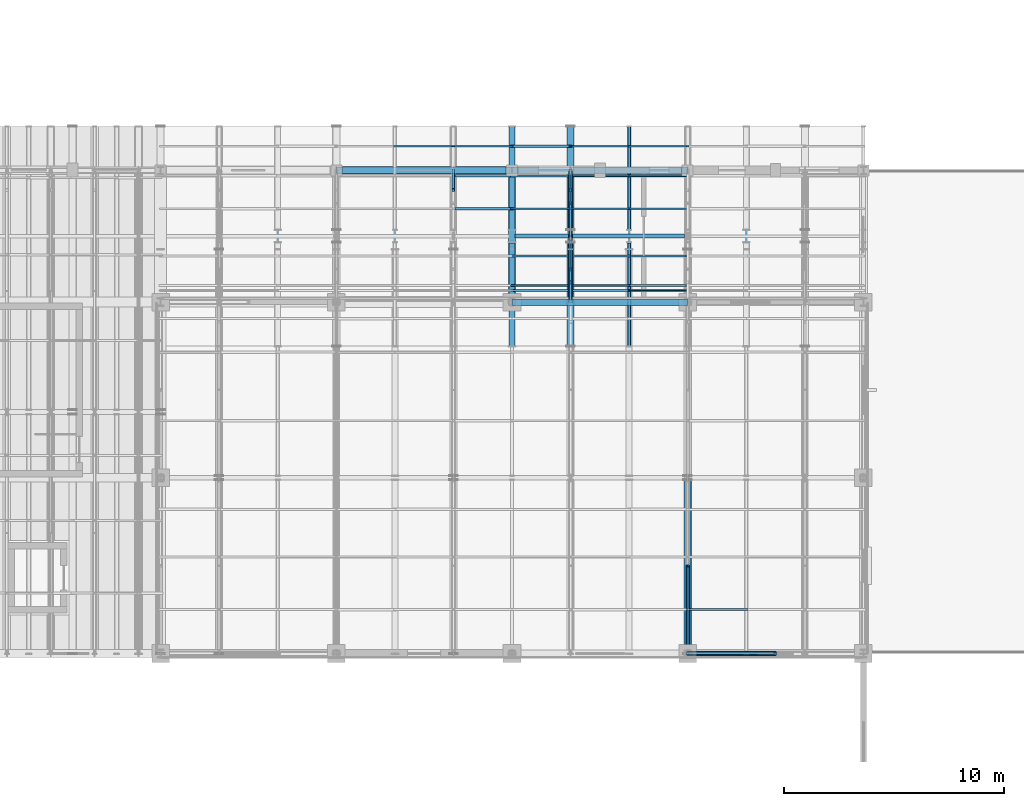
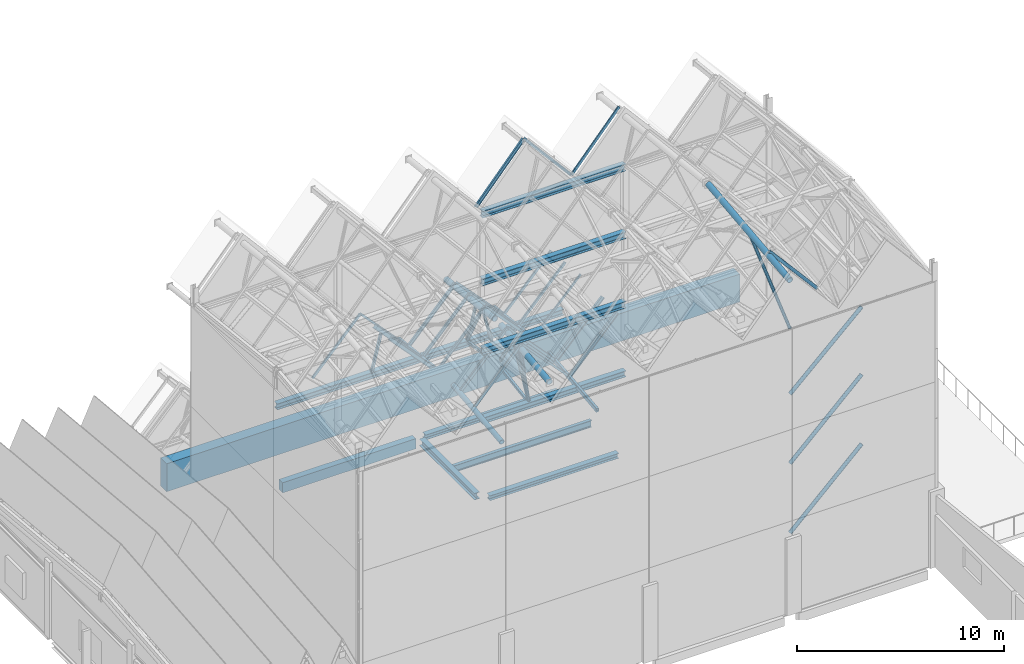
# One storey, part 14 of 48: 36 members, 19 beams.
"""IFC4 building model written with IfcOpenShell, lengths in metres."""

from ifc_helpers import new_model, si_unit, direction, frame, origin, origin_2d, place, context, subcontext, project, spatial, rectangle, hollow_rectangle, hollow_circle, i_section, extrude, material, material_profile, profile_set, type_object, element, save


model = new_model("IFC4")

# Units and contexts
model_context = context("Model", 3, precision=1e-05, world=origin(), true_north=direction((0.0, 1.0)))
body_context = subcontext(model_context, "Body", "Model", "MODEL_VIEW")
ifc_project = project(units=[si_unit("LENGTHUNIT", "METRE"), si_unit("AREAUNIT", "SQUARE_METRE"), si_unit("VOLUMEUNIT", "CUBIC_METRE"), si_unit("PLANEANGLEUNIT", "RADIAN"), si_unit("MASSUNIT", "GRAM", prefix="KILO")], contexts=[model_context])

# Site, building, storey
site_placement = place(None, origin())
site = spatial("IfcSite", under=ifc_project, at=site_placement, CompositionType="ELEMENT")
building_placement = place(site_placement, origin())
building = spatial("IfcBuilding", under=site, at=building_placement, Name="Luwemba Playhouse", CompositionType="ELEMENT")
storey_placement = place(building_placement, frame((0.0, 0.0, 13.800048828125)))
storey = spatial("IfcBuildingStorey", under=building, at=storey_placement, Name="L03", CompositionType="ELEMENT", Elevation=13.800048828125)

# Beams
ifc_material_1 = material(Name="Steel S355", Category="steel")
ifc_material_profile_1 = material_profile(ifc_material_1, hollow_rectangle(XDim=0.14990234375, YDim=0.25, WallThickness=0.010009765625, InnerFilletRadius=0.014892578125, OuterFilletRadius=0.02490234375, at=origin_2d()))
ifc_profile_set_1 = profile_set([ifc_material_profile_1], Name="Steel S355")
beam_type_1 = type_object("IfcBeamType", Name="BM-RTG1", PredefinedType="USERDEFINED", material=ifc_profile_set_1)
for number, where, z_axis, x_axis, name in (
    (1, (33.333251953125, 82.0, 4.2255859375), (0.0, 0.993764176703, 0.111502291916), (-1.0, 0.0, 0.0), "ROOF TRUSS valley girder 0138"),
    (2, (33.333251953125, 87.300048828125, 4.7529296875), (0.0, 0.993764176703, -0.111502291916), (-1.0, 0.0, 0.0), "ROOF TRUSS valley girder 0139"),
):
    element("IfcBeam", number, at=place(storey_placement, frame(where, z_axis=z_axis, x_axis=x_axis)), inside=storey, type_object=beam_type_1, Name=name, ObjectType="ROOF TRUSS", PredefinedType="USERDEFINED", context=body_context, shape_type="SweptSolid", body=[
        extrude(hollow_rectangle(XDim=0.14990234375, YDim=0.25, WallThickness=0.010009765625, InnerFilletRadius=0.014892578125, OuterFilletRadius=0.02490234375, at=origin_2d()), origin(), (0.0, 0.0, 1.0), 4.7294921875),
    ])
ifc_material_profile_2 = material_profile(ifc_material_1, hollow_circle(Radius=0.136474609375, WallThickness=0.012451171875, at=origin_2d()))
ifc_profile_set_2 = profile_set([ifc_material_profile_2], Name="Steel S355")
beam_type_2 = type_object("IfcBeamType", Name="BM-RTG3", PredefinedType="USERDEFINED", material=ifc_profile_set_2)
for number, where, z_axis, x_axis, name in (
    (3, (28.0, 82.0, 4.21435546875), (0.0, 0.993769895443, 0.111451311842), (-1.0, 0.0, 0.0), "ROOF TRUSS valley girder 0134"),
    (4, (28.0, 87.300048828125, 4.741455078125), (0.0, 0.993769895443, -0.111451311842), (-1.0, 0.0, 0.0), "ROOF TRUSS valley girder 0135"),
):
    element("IfcBeam", number, at=place(storey_placement, frame(where, z_axis=z_axis, x_axis=x_axis)), inside=storey, type_object=beam_type_2, Name=name, ObjectType="ROOF TRUSS", PredefinedType="USERDEFINED", context=body_context, shape_type="SweptSolid", body=[
        extrude(hollow_circle(Radius=0.136474609375, WallThickness=0.012451171875, at=origin_2d()), origin(), (0.0, 0.0, 1.0), 4.7294921875),
    ])
ifc_material_profile_3 = material_profile(ifc_material_1, hollow_circle(Radius=0.161865234375, WallThickness=0.01611328125, at=origin_2d()))
ifc_profile_set_3 = profile_set([ifc_material_profile_3], Name="Steel S355")
beam_type_3 = type_object("IfcBeamType", Name="BM-RTG4", PredefinedType="USERDEFINED", material=ifc_profile_set_3)
beam_1_placement = place(storey_placement, frame((36.0, 68.0, 19.458740234375), z_axis=(0.0, 0.993767688729, 0.111470986529), x_axis=(-1.0, 0.0, 0.0)))
element("IfcBeam", 5, at=beam_1_placement, inside=storey, type_object=beam_type_3, Name="ROOF TRUSS ridge girder 0073", ObjectType="ROOF TRUSS", PredefinedType="USERDEFINED", context=body_context, shape_type="SweptSolid", body=[
    extrude(hollow_circle(Radius=0.161865234375, WallThickness=0.01611328125, at=origin_2d()), origin(), (0.0, 0.0, 1.0), 7.939453125),
])
for number, where, z_axis, x_axis, name in (
    (6, (30.666748046875, 82.0, 6.825439453125), (0.0, 0.993769895443, 0.111451311842), (-1.0, 0.0, 0.0), "ROOF TRUSS ridge girder 0136"),
    (7, (30.666748046875, 87.300048828125, 7.3525390625), (0.0, 0.993769895443, -0.111451311842), (-1.0, 0.0, 0.0), "ROOF TRUSS ridge girder 0137"),
):
    element("IfcBeam", number, at=place(storey_placement, frame(where, z_axis=z_axis, x_axis=x_axis)), inside=storey, type_object=beam_type_3, Name=name, ObjectType="ROOF TRUSS", PredefinedType="USERDEFINED", context=body_context, shape_type="SweptSolid", body=[
        extrude(hollow_circle(Radius=0.161865234375, WallThickness=0.01611328125, at=origin_2d()), origin(), (0.0, 0.0, 1.0), 4.7294921875),
    ])
ifc_material_profile_4 = material_profile(ifc_material_1, i_section(OverallWidth=0.300048828125, OverallDepth=0.2900390625, WebThickness=0.008544921875, FlangeThickness=0.013916015625, FilletRadius=0.027099609375, at=origin_2d()))
ifc_profile_set_4 = profile_set([ifc_material_profile_4], Name="Steel S355")
beam_type_4 = type_object("IfcBeamType", Name="BM-SB03", PredefinedType="BEAM", material=ifc_profile_set_4)
beam_2_placement = place(storey_placement, frame((28.39990234375, 84.0, -0.375), z_axis=(1.0, 0.0, 0.0), x_axis=(0.0, 1.0, 0.0)))
element("IfcBeam", 8, at=beam_2_placement, inside=storey, type_object=beam_type_4, Name="L03 grid girder 0838", PredefinedType="BEAM", context=body_context, shape_type="SweptSolid", body=[
    extrude(i_section(OverallWidth=0.300048828125, OverallDepth=0.2900390625, WebThickness=0.008544921875, FlangeThickness=0.013916015625, FilletRadius=0.027099609375, at=origin_2d()), origin(), (0.0, 0.0, 1.0), 7.2001953125),
])
ifc_material_profile_5 = material_profile(ifc_material_1, i_section(OverallWidth=0.300048828125, OverallDepth=0.389892578125, WebThickness=0.010986328125, FlangeThickness=0.01904296875, FilletRadius=0.027099609375, at=origin_2d()))
ifc_profile_set_5 = profile_set([ifc_material_profile_5], Name="Steel S355")
beam_type_5 = type_object("IfcBeamType", Name="BM-SB05", PredefinedType="BEAM", material=ifc_profile_set_5)
beam_3_placement = place(storey_placement, frame((28.0, 84.39990234375, -0.425048828125), z_axis=(0.0, 1.0, 0.0), x_axis=(-1.0, 0.0, 0.0)))
element("IfcBeam", 9, at=beam_3_placement, inside=storey, type_object=beam_type_5, Name="L03 transverse girder 0852", PredefinedType="BEAM", context=body_context, shape_type="SweptSolid", body=[
    extrude(i_section(OverallWidth=0.300048828125, OverallDepth=0.389892578125, WebThickness=0.010986328125, FlangeThickness=0.01904296875, FilletRadius=0.027099609375, at=origin_2d()), origin(), (0.0, 0.0, 1.0), 5.3251953125),
])
ifc_material_profile_6 = material_profile(ifc_material_1, i_section(OverallWidth=0.300048828125, OverallDepth=0.360107421875, WebThickness=0.012451171875, FlangeThickness=0.0224609375, FilletRadius=0.027099609375, at=origin_2d()))
ifc_profile_set_6 = profile_set([ifc_material_profile_6], Name="Steel S355")
beam_type_6 = type_object("IfcBeamType", Name="BM-SB09", PredefinedType="BEAM", material=ifc_profile_set_6)
for number, where, z_axis, x_axis, name in (
    (10, (28.0, 84.0, 4.320068359375), (1.0, 0.0, 0.0), (0.0, 1.0, 0.0), "RF-V2-NORTH eave ring beam 0112"),
    (11, (20.0, 90.0, 4.320068359375), (1.0, 0.0, 0.0), (0.0, 1.0, 0.0), "RF-V2-NORTH eave ring beam 0115"),
    (12, (28.0, 90.0, 4.320068359375), (1.0, 0.0, 0.0), (0.0, 1.0, 0.0), "RF-V2-NORTH eave ring beam 0116"),
):
    element("IfcBeam", number, at=place(storey_placement, frame(where, z_axis=z_axis, x_axis=x_axis)), inside=storey, type_object=beam_type_6, Name=name, PredefinedType="BEAM", context=body_context, shape_type="SweptSolid", body=[
        extrude(i_section(OverallWidth=0.300048828125, OverallDepth=0.360107421875, WebThickness=0.012451171875, FlangeThickness=0.0224609375, FilletRadius=0.027099609375, at=origin_2d()), origin(), (0.0, 0.0, 1.0), 8.0),
    ])
ifc_material_profile_7 = material_profile(ifc_material_1, i_section(OverallWidth=0.300048828125, OverallDepth=0.39990234375, WebThickness=0.013427734375, FlangeThickness=0.02392578125, FilletRadius=0.027099609375, at=origin_2d()))
ifc_profile_set_7 = profile_set([ifc_material_profile_7], Name="Steel S355")
beam_type_7 = type_object("IfcBeamType", Name="BM-SB10", PredefinedType="BEAM", material=ifc_profile_set_7)
for number, where, z_axis, x_axis, name in (
    (13, (28.0, 84.0, 8.39990234375), (1.0, 0.0, 0.0), (0.0, 1.0, 0.0), "Fly tower ring beam 007"),
    (14, (28.0, 84.0, 12.5), (1.0, 0.0, 0.0), (0.0, 1.0, 0.0), "Fly tower ring beam 019"),
    (15, (28.0, 84.0, 16.5), (1.0, 0.0, 0.0), (0.0, 1.0, 0.0), "Fly tower ring beam 031"),
):
    element("IfcBeam", number, at=place(storey_placement, frame(where, z_axis=z_axis, x_axis=x_axis)), inside=storey, type_object=beam_type_7, Name=name, PredefinedType="BEAM", context=body_context, shape_type="SweptSolid", body=[
        extrude(i_section(OverallWidth=0.300048828125, OverallDepth=0.39990234375, WebThickness=0.013427734375, FlangeThickness=0.02392578125, FilletRadius=0.027099609375, at=origin_2d()), origin(), (0.0, 0.0, 1.0), 8.0),
    ])
ifc_material_2 = material(Name="Concrete C40/50", Category="concrete")
ifc_material_profile_8 = material_profile(ifc_material_2, rectangle(XDim=0.60009765625, YDim=1.64990234375, at=origin_2d()))
ifc_profile_set_8 = profile_set([ifc_material_profile_8], Name="Concrete C40/50")
beam_type_8 = type_object("IfcBeamType", Name="BM-SB11", PredefinedType="BEAM", material=ifc_profile_set_8)
beam_4_placement = place(storey_placement, frame((12.0, 87.0, 4.8564453125), z_axis=(1.0, 0.0, 0.0), x_axis=(0.0, 1.0, 0.0)))
element("IfcBeam", 16, at=beam_4_placement, inside=storey, type_object=beam_type_8, Name="RF-V2-NORTH central ridge spine girder 0121", PredefinedType="BEAM", context=body_context, shape_type="SweptSolid", body=[
    extrude(rectangle(XDim=0.60009765625, YDim=1.64990234375, at=origin_2d()), origin(), (0.0, 0.0, 1.0), 32.0),
])
ifc_material_profile_9 = material_profile(ifc_material_1, i_section(OverallWidth=0.179931640625, OverallDepth=0.39990234375, WebThickness=0.008544921875, FlangeThickness=0.013427734375, FilletRadius=0.02099609375, at=origin_2d()))
ifc_profile_set_9 = profile_set([ifc_material_profile_9], Name="Steel S355")
beam_type_9 = type_object("IfcBeamType", Name="BM-SJ08", PredefinedType="JOIST", material=ifc_profile_set_9)
beam_5_placement = place(storey_placement, frame((28.14599609375, 87.0, -0.429931640625), z_axis=(1.0, 0.0, 0.0), x_axis=(0.0, 1.0, 0.0)))
element("IfcBeam", 17, at=beam_5_placement, inside=storey, type_object=beam_type_9, Name="L03 composite floor joist 0487", PredefinedType="JOIST", context=body_context, shape_type="SweptSolid", body=[
    extrude(i_section(OverallWidth=0.179931640625, OverallDepth=0.39990234375, WebThickness=0.008544921875, FlangeThickness=0.013427734375, FilletRadius=0.02099609375, at=origin_2d()), origin(), (0.0, 0.0, 1.0), 7.7080078125),
])
ifc_material_profile_10 = material_profile(ifc_material_2, rectangle(XDim=0.35009765625, YDim=0.60009765625, at=origin_2d()))
ifc_profile_set_10 = profile_set([ifc_material_profile_10], Name="Concrete C40/50")
beam_type_10 = type_object("IfcBeamType", Name="BM-SP3", PredefinedType="SPANDREL", material=ifc_profile_set_10)
beam_6_placement = place(storey_placement, frame((20.27490234375, 90.0, -0.530029296875), z_axis=(1.0, 0.0, 0.0), x_axis=(0.0, 1.0, 0.0)))
element("IfcBeam", 18, at=beam_6_placement, inside=storey, type_object=beam_type_10, Name="L03 grid girder 0842", PredefinedType="SPANDREL", context=body_context, shape_type="SweptSolid", body=[
    extrude(rectangle(XDim=0.35009765625, YDim=0.60009765625, at=origin_2d()), origin(), (0.0, 0.0, 1.0), 7.4501953125),
])
ifc_material_profile_11 = material_profile(ifc_material_1, i_section(OverallWidth=0.300048828125, OverallDepth=0.300048828125, WebThickness=0.010986328125, FlangeThickness=0.01904296875, FilletRadius=0.027099609375, at=origin_2d()))
ifc_profile_set_11 = profile_set([ifc_material_profile_11], Name="Steel S355")
beam_type_11 = type_object("IfcBeamType", Name="BM-SSP1", PredefinedType="SPANDREL", material=ifc_profile_set_11)
beam_7_placement = place(storey_placement, frame((28.27490234375, 90.0, -0.380126953125), z_axis=(1.0, 0.0, 0.0), x_axis=(0.0, 1.0, 0.0)))
element("IfcBeam", 19, at=beam_7_placement, inside=storey, type_object=beam_type_11, Name="L03 grid girder 0843", PredefinedType="SPANDREL", context=body_context, shape_type="SweptSolid", body=[
    extrude(i_section(OverallWidth=0.300048828125, OverallDepth=0.300048828125, WebThickness=0.010986328125, FlangeThickness=0.01904296875, FilletRadius=0.027099609375, at=origin_2d()), origin(), (0.0, 0.0, 1.0), 7.4501953125),
])

# Members
ifc_material_profile_12 = material_profile(ifc_material_1, hollow_circle(Radius=0.084228515625, WallThickness=0.008056640625, at=origin_2d()))
ifc_profile_set_12 = profile_set([ifc_material_profile_12], Name="Steel S355")
member_type_1 = type_object("IfcMemberType", Name="MEM-MB02", PredefinedType="BRACE", material=ifc_profile_set_12)
member_1_placement = place(storey_placement, frame((36.0, 68.0, 16.599853515625), z_axis=(0.0, 0.770652379967, 0.637255764392), x_axis=(-1.0, 0.0, 0.0)))
element("IfcMember", 20, at=member_1_placement, inside=storey, type_object=member_type_1, Name="ROOF TRUSS web diagonal 0069", PredefinedType="BRACE", context=body_context, shape_type="SweptSolid", body=[
    extrude(hollow_circle(Radius=0.084228515625, WallThickness=0.008056640625, at=origin_2d()), origin(), (0.0, 0.0, 1.0), 5.1904296875),
])
member_2_placement = place(storey_placement, frame((30.666748046875, 84.0, 4.39990234375), z_axis=(0.0, 0.469857731864, 0.88274215477), x_axis=(-1.0, 0.0, 0.0)))
element("IfcMember", 21, at=member_2_placement, inside=storey, type_object=member_type_1, Name="ROOF TRUSS web diagonal 0123", PredefinedType="BRACE", context=body_context, shape_type="SweptSolid", body=[
    extrude(hollow_circle(Radius=0.084228515625, WallThickness=0.008056640625, at=origin_2d()), origin(), (0.0, 0.0, 1.0), 3.1923828125),
])
for number, where, z_axis, x_axis, name in (
    (22, (30.666748046875, 87.0, 4.8564453125), (0.0, -0.536158182569, 0.844117529296), (1.0, 0.0, 0.0), "ROOF TRUSS web diagonal 0124"),
    (23, (30.666748046875, 87.0, 4.8564453125), (0.0, 0.536158182569, 0.844117529296), (-1.0, 0.0, 0.0), "ROOF TRUSS web diagonal 0125"),
):
    element("IfcMember", number, at=place(storey_placement, frame(where, z_axis=z_axis, x_axis=x_axis)), inside=storey, type_object=member_type_1, Name=name, PredefinedType="BRACE", context=body_context, shape_type="SweptSolid", body=[
        extrude(hollow_circle(Radius=0.084228515625, WallThickness=0.008056640625, at=origin_2d()), origin(), (0.0, 0.0, 1.0), 2.797607421875),
    ])
member_3_placement = place(storey_placement, frame((30.666748046875, 90.0, 4.39990234375), z_axis=(0.0, -0.469857731864, 0.88274215477), x_axis=(1.0, 0.0, 0.0)))
element("IfcMember", 24, at=member_3_placement, inside=storey, type_object=member_type_1, Name="ROOF TRUSS web diagonal 0126", PredefinedType="BRACE", context=body_context, shape_type="SweptSolid", body=[
    extrude(hollow_circle(Radius=0.084228515625, WallThickness=0.008056640625, at=origin_2d()), origin(), (0.0, 0.0, 1.0), 3.1923828125),
])
for number, where, z_axis, x_axis, name in (
    (25, (30.666748046875, 84.0, 4.39990234375), (0.0, 0.310933771761, 0.950431580693), (-1.0, 0.0, 0.0), "ROOF TRUSS eave knee strut 0024"),
    (26, (30.666748046875, 90.0, 4.39990234375), (0.0, -0.310933771761, 0.950431580693), (1.0, 0.0, 0.0), "ROOF TRUSS eave knee strut 0025"),
):
    element("IfcMember", number, at=place(storey_placement, frame(where, z_axis=z_axis, x_axis=x_axis)), inside=storey, type_object=member_type_1, Name=name, PredefinedType="BRACE", context=body_context, shape_type="SweptSolid", body=[
        extrude(hollow_circle(Radius=0.084228515625, WallThickness=0.008056640625, at=origin_2d()), origin(), (0.0, 0.0, 1.0), 2.894287109375),
    ])
ifc_material_profile_13 = material_profile(ifc_material_1, hollow_circle(Radius=0.109619140625, WallThickness=0.012451171875, at=origin_2d()))
ifc_profile_set_13 = profile_set([ifc_material_profile_13], Name="Steel S355")
member_type_2 = type_object("IfcMemberType", Name="MEM-MB04", PredefinedType="BRACE", material=ifc_profile_set_13)
for number, where, z_axis, x_axis, name in (
    (27, (36.0, 68.0, 4.550048828125), (0.720500036349, 0.0, 0.693454899486), (0.0, 1.0, 0.0), "Fly tower lateral brace 003"),
    (28, (36.0, 68.0, 8.64990234375), (0.720478064824, 0.0, 0.693477727189), (0.0, 1.0, 0.0), "Fly tower lateral brace 019"),
):
    element("IfcMember", number, at=place(storey_placement, frame(where, z_axis=z_axis, x_axis=x_axis)), inside=storey, type_object=member_type_2, Name=name, PredefinedType="BRACE", context=body_context, shape_type="SweptSolid", body=[
        extrude(hollow_circle(Radius=0.109619140625, WallThickness=0.012451171875, at=origin_2d()), origin(), (0.0, 0.0, 1.0), 5.5517578125),
    ])
member_4_placement = place(storey_placement, frame((36.0, 68.0, 12.75), z_axis=(0.72953720414, 0.0, 0.683941128881), x_axis=(0.0, 1.0, 0.0)))
element("IfcMember", 29, at=member_4_placement, inside=storey, type_object=member_type_2, Name="Fly tower lateral brace 035", PredefinedType="BRACE", context=body_context, shape_type="SweptSolid", body=[
    extrude(hollow_circle(Radius=0.109619140625, WallThickness=0.012451171875, at=origin_2d()), origin(), (0.0, 0.0, 1.0), 5.48291015625),
])
ifc_material_profile_14 = material_profile(ifc_material_1, hollow_rectangle(XDim=0.139892578125, YDim=0.139892578125, WallThickness=0.008056640625, InnerFilletRadius=0.011962890625, OuterFilletRadius=0.02001953125, at=origin_2d()))
ifc_profile_set_14 = profile_set([ifc_material_profile_14], Name="Steel S355")
member_type_3 = type_object("IfcMemberType", Name="MEM-MB07", PredefinedType="BRACE", material=ifc_profile_set_14)
member_5_placement = place(storey_placement, frame((25.333251953125, 90.0, 4.39990234375), z_axis=(0.0, -0.303098438521, 0.952959252312), x_axis=(1.0, 0.0, 0.0)))
element("IfcMember", 30, at=member_5_placement, inside=storey, type_object=member_type_3, Name="ROOF TRUSS eave knee strut 0023", PredefinedType="BRACE", context=body_context, shape_type="SweptSolid", body=[
    extrude(hollow_rectangle(XDim=0.139892578125, YDim=0.139892578125, WallThickness=0.008056640625, InnerFilletRadius=0.011962890625, OuterFilletRadius=0.02001953125, at=origin_2d()), origin(), (0.0, 0.0, 1.0), 2.968994140625),
])
ifc_material_profile_15 = material_profile(ifc_material_1, hollow_rectangle(XDim=0.14990234375, YDim=0.14990234375, WallThickness=0.010009765625, InnerFilletRadius=0.014892578125, OuterFilletRadius=0.02490234375, at=origin_2d()))
ifc_profile_set_15 = profile_set([ifc_material_profile_15], Name="Steel S355")
member_type_4 = type_object("IfcMemberType", Name="MEM-MC02", PredefinedType="CHORD", material=ifc_profile_set_15)
for number, where, z_axis, x_axis, name in (
    (31, (30.666748046875, 84.0, 4.39990234375), (0.0, 0.988617796803, 0.150448834637), (-1.0, 0.0, 0.0), "ROOF TRUSS south bottom chord 0121"),
    (32, (30.666748046875, 87.0, 4.8564453125), (0.0, 0.988617796803, -0.150448834637), (-1.0, 0.0, 0.0), "ROOF TRUSS north bottom chord 0122"),
):
    element("IfcMember", number, at=place(storey_placement, frame(where, z_axis=z_axis, x_axis=x_axis)), inside=storey, type_object=member_type_4, Name=name, PredefinedType="CHORD", context=body_context, shape_type="SweptSolid", body=[
        extrude(hollow_rectangle(XDim=0.14990234375, YDim=0.14990234375, WallThickness=0.010009765625, InnerFilletRadius=0.014892578125, OuterFilletRadius=0.02490234375, at=origin_2d()), origin(), (0.0, 0.0, 1.0), 3.034423828125),
    ])
ifc_material_profile_16 = material_profile(ifc_material_1, hollow_rectangle(XDim=0.080078125, YDim=0.1201171875, WallThickness=0.00634765625, InnerFilletRadius=0.009521484375, OuterFilletRadius=0.015869140625, at=origin_2d()))
ifc_profile_set_16 = profile_set([ifc_material_profile_16], Name="Steel S355")
member_type_5 = type_object("IfcMemberType", Name="MEM-MP01", PredefinedType="PURLIN", material=ifc_profile_set_16)
member_6_placement = place(storey_placement, frame((25.333251953125, 91.10009765625, 7.21728515625), z_axis=(0.681515329976, 0.0, -0.731803836426), x_axis=(0.0, 1.0, 0.0)))
element("IfcMember", 33, at=member_6_placement, inside=storey, type_object=member_type_5, Name="Pleated roof purlin 0240", PredefinedType="PURLIN", context=body_context, shape_type="SweptSolid", body=[
    extrude(hollow_rectangle(XDim=0.080078125, YDim=0.1201171875, WallThickness=0.00634765625, InnerFilletRadius=0.009521484375, OuterFilletRadius=0.015869140625, at=origin_2d()), origin(), (0.0, 0.0, 1.0), 3.9130859375),
])
member_7_placement = place(storey_placement, frame((30.666748046875, 84.75, 7.424560546875), z_axis=(0.681513033636, 0.0, -0.731805974958), x_axis=(0.0, 1.0, 0.0)))
element("IfcMember", 34, at=member_7_placement, inside=storey, type_object=member_type_5, Name="Pleated roof purlin 0248", PredefinedType="PURLIN", context=body_context, shape_type="SweptSolid", body=[
    extrude(hollow_rectangle(XDim=0.080078125, YDim=0.1201171875, WallThickness=0.00634765625, InnerFilletRadius=0.009521484375, OuterFilletRadius=0.015869140625, at=origin_2d()), origin(), (0.0, 0.0, 1.0), 3.91259765625),
])
member_8_placement = place(storey_placement, frame((33.333251953125, 88.25, 4.67333984375), z_axis=(0.681515329976, 0.0, 0.731803836426), x_axis=(0.0, 1.0, 0.0)))
element("IfcMember", 35, at=member_8_placement, inside=storey, type_object=member_type_5, Name="Pleated roof purlin 0256", PredefinedType="PURLIN", context=body_context, shape_type="SweptSolid", body=[
    extrude(hollow_rectangle(XDim=0.080078125, YDim=0.1201171875, WallThickness=0.00634765625, InnerFilletRadius=0.009521484375, OuterFilletRadius=0.015869140625, at=origin_2d()), origin(), (0.0, 0.0, 1.0), 3.9130859375),
])
ifc_material_profile_17 = material_profile(ifc_material_1, hollow_rectangle(XDim=0.10009765625, YDim=0.14990234375, WallThickness=0.008056640625, InnerFilletRadius=0.011962890625, OuterFilletRadius=0.02001953125, at=origin_2d()))
ifc_profile_set_17 = profile_set([ifc_material_profile_17], Name="Steel S355")
member_type_6 = type_object("IfcMemberType", Name="MEM-MP02", PredefinedType="PURLIN", material=ifc_profile_set_17)
member_9_placement = place(storey_placement, frame((30.666748046875, 86.10009765625, 7.55029296875), z_axis=(0.681513033636, 0.0, -0.731805974958), x_axis=(0.0, 1.0, 0.0)))
element("IfcMember", 36, at=member_9_placement, inside=storey, type_object=member_type_6, Name="Pleated roof purlin 0249", PredefinedType="PURLIN", context=body_context, shape_type="SweptSolid", body=[
    extrude(hollow_rectangle(XDim=0.10009765625, YDim=0.14990234375, WallThickness=0.008056640625, InnerFilletRadius=0.011962890625, OuterFilletRadius=0.02001953125, at=origin_2d()), origin(), (0.0, 0.0, 1.0), 3.91259765625),
])
member_10_placement = place(storey_placement, frame((33.333251953125, 89.75, 4.479248046875), z_axis=(0.68148421333, 0.0, 0.731832813546), x_axis=(0.0, 1.0, 0.0)))
element("IfcMember", 37, at=member_10_placement, inside=storey, type_object=member_type_6, Name="Pleated roof purlin 0257", PredefinedType="PURLIN", context=body_context, shape_type="SweptSolid", body=[
    extrude(hollow_rectangle(XDim=0.10009765625, YDim=0.14990234375, WallThickness=0.008056640625, InnerFilletRadius=0.011962890625, OuterFilletRadius=0.02001953125, at=origin_2d()), origin(), (0.0, 0.0, 1.0), 3.9130859375),
])
ifc_material_profile_18 = material_profile(ifc_material_1, hollow_rectangle(XDim=0.080078125, YDim=0.159912109375, WallThickness=0.00634765625, InnerFilletRadius=0.009521484375, OuterFilletRadius=0.015869140625, at=origin_2d()))
ifc_profile_set_18 = profile_set([ifc_material_profile_18], Name="Steel S355")
member_type_7 = type_object("IfcMemberType", Name="MEM-MP03", PredefinedType="PURLIN", material=ifc_profile_set_18)
member_11_placement = place(storey_placement, frame((33.333251953125, 84.528076171875, 16.582275390625), z_axis=(0.651808038275, 0.0, 0.758383993265), x_axis=(0.0, 1.0, 0.0)))
element("IfcMember", 38, at=member_11_placement, inside=storey, type_object=member_type_7, Name="Pleated roof purlin 0138", PredefinedType="PURLIN", context=body_context, shape_type="SweptSolid", body=[
    extrude(hollow_rectangle(XDim=0.080078125, YDim=0.159912109375, WallThickness=0.00634765625, InnerFilletRadius=0.009521484375, OuterFilletRadius=0.015869140625, at=origin_2d()), origin(), (0.0, 0.0, 1.0), 4.09130859375),
])
member_12_placement = place(storey_placement, frame((22.666748046875, 91.10009765625, 4.333740234375), z_axis=(0.68148191426, 0.0, 0.731834954437), x_axis=(0.0, 1.0, 0.0)))
element("IfcMember", 39, at=member_12_placement, inside=storey, type_object=member_type_7, Name="Pleated roof purlin 0234", PredefinedType="PURLIN", context=body_context, shape_type="SweptSolid", body=[
    extrude(hollow_rectangle(XDim=0.080078125, YDim=0.159912109375, WallThickness=0.00634765625, InnerFilletRadius=0.009521484375, OuterFilletRadius=0.015869140625, at=origin_2d()), origin(), (0.0, 0.0, 1.0), 3.912841796875),
])
member_13_placement = place(storey_placement, frame((28.0, 84.75, 4.541259765625), z_axis=(0.681515329976, 0.0, 0.731803836426), x_axis=(0.0, 1.0, 0.0)))
element("IfcMember", 40, at=member_13_placement, inside=storey, type_object=member_type_7, Name="Pleated roof purlin 0242", PredefinedType="PURLIN", context=body_context, shape_type="SweptSolid", body=[
    extrude(hollow_rectangle(XDim=0.080078125, YDim=0.159912109375, WallThickness=0.00634765625, InnerFilletRadius=0.009521484375, OuterFilletRadius=0.015869140625, at=origin_2d()), origin(), (0.0, 0.0, 1.0), 3.9130859375),
])
member_14_placement = place(storey_placement, frame((30.666748046875, 88.25, 7.516845703125), z_axis=(0.681513033636, 0.0, -0.731805974958), x_axis=(0.0, 1.0, 0.0)))
element("IfcMember", 41, at=member_14_placement, inside=storey, type_object=member_type_7, Name="Pleated roof purlin 0250", PredefinedType="PURLIN", context=body_context, shape_type="SweptSolid", body=[
    extrude(hollow_rectangle(XDim=0.080078125, YDim=0.159912109375, WallThickness=0.00634765625, InnerFilletRadius=0.009521484375, OuterFilletRadius=0.015869140625, at=origin_2d()), origin(), (0.0, 0.0, 1.0), 3.91259765625),
])
member_15_placement = place(storey_placement, frame((33.333251953125, 91.10009765625, 4.333740234375), z_axis=(0.681515329976, 0.0, 0.731803836426), x_axis=(0.0, 1.0, 0.0)))
element("IfcMember", 42, at=member_15_placement, inside=storey, type_object=member_type_7, Name="Pleated roof purlin 0258", PredefinedType="PURLIN", context=body_context, shape_type="SweptSolid", body=[
    extrude(hollow_rectangle(XDim=0.080078125, YDim=0.159912109375, WallThickness=0.00634765625, InnerFilletRadius=0.009521484375, OuterFilletRadius=0.015869140625, at=origin_2d()), origin(), (0.0, 0.0, 1.0), 3.9130859375),
])
ifc_material_profile_19 = material_profile(ifc_material_1, hollow_rectangle(XDim=0.10009765625, YDim=0.179931640625, WallThickness=0.008056640625, InnerFilletRadius=0.011962890625, OuterFilletRadius=0.02001953125, at=origin_2d()))
ifc_profile_set_19 = profile_set([ifc_material_profile_19], Name="Steel S355")
member_type_8 = type_object("IfcMemberType", Name="MEM-MP04", PredefinedType="PURLIN", material=ifc_profile_set_19)
member_16_placement = place(storey_placement, frame((36.0, 70.0, 19.947021484375), z_axis=(0.651808038275, 0.0, -0.758383993265), x_axis=(0.0, 1.0, 0.0)))
element("IfcMember", 43, at=member_16_placement, inside=storey, type_object=member_type_8, Name="Pleated roof purlin 0139", PredefinedType="PURLIN", context=body_context, shape_type="SweptSolid", body=[
    extrude(hollow_rectangle(XDim=0.10009765625, YDim=0.179931640625, WallThickness=0.008056640625, InnerFilletRadius=0.011962890625, OuterFilletRadius=0.02001953125, at=origin_2d()), origin(), (0.0, 0.0, 1.0), 4.09130859375),
])
member_17_placement = place(storey_placement, frame((28.0, 86.10009765625, 4.671875), z_axis=(0.681515329976, 0.0, 0.731803836426), x_axis=(0.0, 1.0, 0.0)))
element("IfcMember", 44, at=member_17_placement, inside=storey, type_object=member_type_8, Name="Pleated roof purlin 0243", PredefinedType="PURLIN", context=body_context, shape_type="SweptSolid", body=[
    extrude(hollow_rectangle(XDim=0.10009765625, YDim=0.179931640625, WallThickness=0.008056640625, InnerFilletRadius=0.011962890625, OuterFilletRadius=0.02001953125, at=origin_2d()), origin(), (0.0, 0.0, 1.0), 3.9130859375),
])
member_18_placement = place(storey_placement, frame((30.666748046875, 89.75, 7.327880859375), z_axis=(0.68148191426, 0.0, -0.731834954437), x_axis=(0.0, 1.0, 0.0)))
element("IfcMember", 45, at=member_18_placement, inside=storey, type_object=member_type_8, Name="Pleated roof purlin 0251", PredefinedType="PURLIN", context=body_context, shape_type="SweptSolid", body=[
    extrude(hollow_rectangle(XDim=0.10009765625, YDim=0.179931640625, WallThickness=0.008056640625, InnerFilletRadius=0.011962890625, OuterFilletRadius=0.02001953125, at=origin_2d()), origin(), (0.0, 0.0, 1.0), 3.912841796875),
])
ifc_material_profile_20 = material_profile(ifc_material_1, i_section(OverallWidth=0.08203125, OverallDepth=0.159912109375, WebThickness=0.0048828125, FlangeThickness=0.00732421875, FilletRadius=0.009033203125, at=origin_2d()))
ifc_profile_set_20 = profile_set([ifc_material_profile_20], Name="Steel S355")
member_type_9 = type_object("IfcMemberType", Name="MEM-MP05", PredefinedType="PURLIN", material=ifc_profile_set_20)
member_19_placement = place(storey_placement, frame((30.666748046875, 84.528076171875, 19.683837890625), z_axis=(0.651773715576, 0.0, -0.758413491233), x_axis=(0.0, 1.0, 0.0)))
element("IfcMember", 46, at=member_19_placement, inside=storey, type_object=member_type_9, Name="Pleated roof purlin 0132", PredefinedType="PURLIN", context=body_context, shape_type="SweptSolid", body=[
    extrude(i_section(OverallWidth=0.08203125, OverallDepth=0.159912109375, WebThickness=0.0048828125, FlangeThickness=0.00732421875, FilletRadius=0.009033203125, at=origin_2d()), origin(), (0.0, 0.0, 1.0), 4.091064453125),
])
member_20_placement = place(storey_placement, frame((28.0, 88.25, 4.65234375), z_axis=(0.681515329976, 0.0, 0.731803836426), x_axis=(0.0, 1.0, 0.0)))
element("IfcMember", 47, at=member_20_placement, inside=storey, type_object=member_type_9, Name="Pleated roof purlin 0244", PredefinedType="PURLIN", context=body_context, shape_type="SweptSolid", body=[
    extrude(i_section(OverallWidth=0.08203125, OverallDepth=0.159912109375, WebThickness=0.0048828125, FlangeThickness=0.00732421875, FilletRadius=0.009033203125, at=origin_2d()), origin(), (0.0, 0.0, 1.0), 3.9130859375),
])
member_21_placement = place(storey_placement, frame((30.666748046875, 91.10009765625, 7.196044921875), z_axis=(0.681513033636, 0.0, -0.731805974958), x_axis=(0.0, 1.0, 0.0)))
element("IfcMember", 48, at=member_21_placement, inside=storey, type_object=member_type_9, Name="Pleated roof purlin 0252", PredefinedType="PURLIN", context=body_context, shape_type="SweptSolid", body=[
    extrude(i_section(OverallWidth=0.08203125, OverallDepth=0.159912109375, WebThickness=0.0048828125, FlangeThickness=0.00732421875, FilletRadius=0.009033203125, at=origin_2d()), origin(), (0.0, 0.0, 1.0), 3.91259765625),
])
ifc_material_profile_21 = material_profile(ifc_material_1, i_section(OverallWidth=0.091064453125, OverallDepth=0.179931640625, WebThickness=0.00537109375, FlangeThickness=0.008056640625, FilletRadius=0.009033203125, at=origin_2d()))
ifc_profile_set_21 = profile_set([ifc_material_profile_21], Name="Steel S355")
member_type_10 = type_object("IfcMemberType", Name="MEM-MP06", PredefinedType="PURLIN", material=ifc_profile_set_21)
member_22_placement = place(storey_placement, frame((28.0, 89.75, 4.46923828125), z_axis=(0.681515329976, 0.0, 0.731803836426), x_axis=(0.0, 1.0, 0.0)))
element("IfcMember", 49, at=member_22_placement, inside=storey, type_object=member_type_10, Name="Pleated roof purlin 0245", PredefinedType="PURLIN", context=body_context, shape_type="SweptSolid", body=[
    extrude(i_section(OverallWidth=0.091064453125, OverallDepth=0.179931640625, WebThickness=0.00537109375, FlangeThickness=0.008056640625, FilletRadius=0.009033203125, at=origin_2d()), origin(), (0.0, 0.0, 1.0), 3.9130859375),
])
ifc_material_profile_22 = material_profile(ifc_material_1, i_section(OverallWidth=0.10009765625, OverallDepth=0.199951171875, WebThickness=0.005615234375, FlangeThickness=0.008544921875, FilletRadius=0.011962890625, at=origin_2d()))
ifc_profile_set_22 = profile_set([ifc_material_profile_22], Name="Steel S355")
member_type_11 = type_object("IfcMemberType", Name="MEM-MP07", PredefinedType="PURLIN", material=ifc_profile_set_22)
member_23_placement = place(storey_placement, frame((28.0, 84.528076171875, 16.550537109375), z_axis=(0.651778541519, 0.0, 0.758409343835), x_axis=(0.0, 1.0, 0.0)))
element("IfcMember", 50, at=member_23_placement, inside=storey, type_object=member_type_11, Name="Pleated roof purlin 0126", PredefinedType="PURLIN", context=body_context, shape_type="SweptSolid", body=[
    extrude(i_section(OverallWidth=0.10009765625, OverallDepth=0.199951171875, WebThickness=0.005615234375, FlangeThickness=0.008544921875, FilletRadius=0.011962890625, at=origin_2d()), origin(), (0.0, 0.0, 1.0), 4.091552734375),
])
for number, where, z_axis, x_axis, name in (
    (51, (25.333251953125, 88.25, 7.486083984375), (0.681515329976, 0.0, -0.731803836426), (0.0, 1.0, 0.0), "Pleated roof purlin 0238"),
    (52, (28.0, 91.10009765625, 4.302978515625), (0.681515329976, 0.0, 0.731803836426), (0.0, 1.0, 0.0), "Pleated roof purlin 0246"),
    (53, (33.333251953125, 84.75, 4.510498046875), (0.681515329976, 0.0, 0.731803836426), (0.0, 1.0, 0.0), "Pleated roof purlin 0254"),
):
    element("IfcMember", number, at=place(storey_placement, frame(where, z_axis=z_axis, x_axis=x_axis)), inside=storey, type_object=member_type_11, Name=name, PredefinedType="PURLIN", context=body_context, shape_type="SweptSolid", body=[
        extrude(i_section(OverallWidth=0.10009765625, OverallDepth=0.199951171875, WebThickness=0.005615234375, FlangeThickness=0.008544921875, FilletRadius=0.011962890625, at=origin_2d()), origin(), (0.0, 0.0, 1.0), 3.9130859375),
    ])
ifc_material_profile_23 = material_profile(ifc_material_1, i_section(OverallWidth=0.110107421875, OverallDepth=0.219970703125, WebThickness=0.005859375, FlangeThickness=0.00927734375, FilletRadius=0.011962890625, at=origin_2d()))
ifc_profile_set_23 = profile_set([ifc_material_profile_23], Name="Steel S355")
member_type_12 = type_object("IfcMemberType", Name="MEM-MP08", PredefinedType="PURLIN", material=ifc_profile_set_23)
for number, where, z_axis, x_axis, name in (
    (54, (25.333251953125, 89.75, 7.302490234375), (0.681515329976, 0.0, -0.731803836426), (0.0, 1.0, 0.0), "Pleated roof purlin 0239"),
    (55, (33.333251953125, 86.10009765625, 4.646484375), (0.681515329976, 0.0, 0.731803836426), (0.0, 1.0, 0.0), "Pleated roof purlin 0255"),
):
    element("IfcMember", number, at=place(storey_placement, frame(where, z_axis=z_axis, x_axis=x_axis)), inside=storey, type_object=member_type_12, Name=name, PredefinedType="PURLIN", context=body_context, shape_type="SweptSolid", body=[
        extrude(i_section(OverallWidth=0.110107421875, OverallDepth=0.219970703125, WebThickness=0.005859375, FlangeThickness=0.00927734375, FilletRadius=0.011962890625, at=origin_2d()), origin(), (0.0, 0.0, 1.0), 3.9130859375),
    ])

save(model, "model.ifc")
